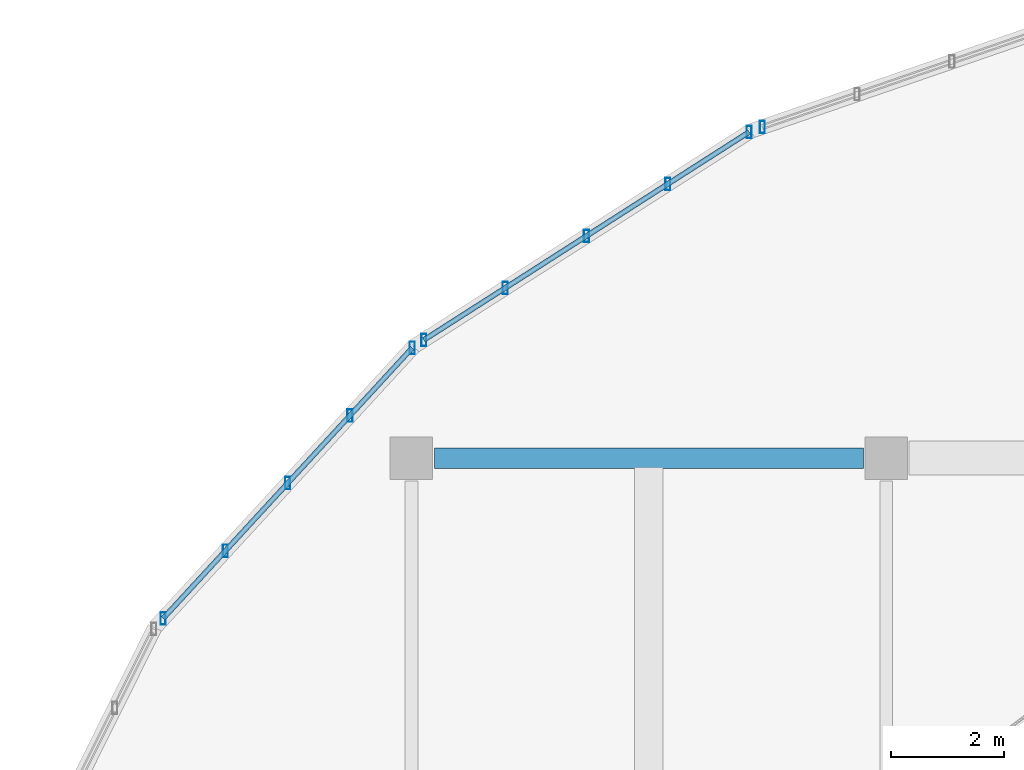
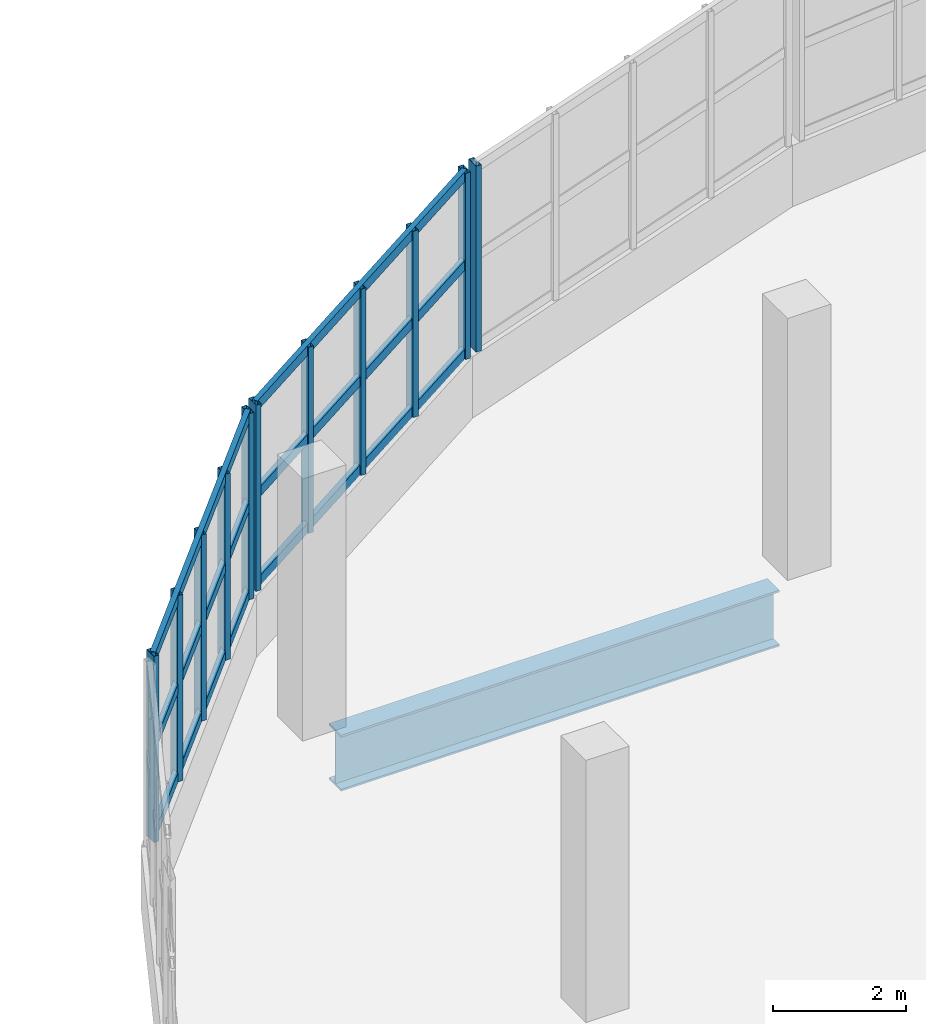
# One storey, part 18 of 117: 17 members, 1 beam, 3 elements without a shape of their own.
"""IFC4 building model written with IfcOpenShell, lengths in metres."""

import ifcopenshell
import ifcopenshell.guid

model = None  # the IFC model being written
_history = None  # IfcOwnerHistory: only IFC2X3 demands one
_inside = {}  # id of a spatial element -> (the spatial element, [elements in it])
_under = {}  # id of a project, library or spatial element -> (it, [spatial elements below it])
_declared = {}  # id of a project -> (the project, [libraries it declares])
_typed = {}  # id of a type object -> (the type object, [elements of that type])
_made_of = {}  # id of a material, layer set ... -> (it, [elements and type objects made of it])


def new_model(schema):
    """Start an empty IFC model of exactly this schema.

    Asked for "IFC4X3", IfcOpenShell would pick the latest addendum, in which some entities
    have other attributes; the version numbers below select the first issue.
    IFC2X3 requires an IfcOwnerHistory on every rooted entity: one is made here for all.
    """
    global model, _history
    if schema == "IFC4X3":
        model = ifcopenshell.file(schema_version=(4, 3, 0, 0))
    else:
        model = ifcopenshell.file(schema=schema)
    _inside.clear()
    _under.clear()
    _declared.clear()
    _typed.clear()
    _made_of.clear()
    _history = None
    if model.schema == "IFC2X3":
        org = make("IfcOrganization", Name="unknown")
        user = make(
            "IfcPersonAndOrganization",
            ThePerson=make("IfcPerson", FamilyName="unknown"),
            TheOrganization=org,
        )
        app = make(
            "IfcApplication",
            ApplicationDeveloper=org,
            Version="unknown",
            ApplicationFullName="unknown",
            ApplicationIdentifier="unknown",
        )
        _history = make(
            "IfcOwnerHistory",
            OwningUser=user,
            OwningApplication=app,
            ChangeAction="ADDED",
            CreationDate=0,
        )
    return model


def make(cls, **values):
    """One entity of the class cls with the attributes given. An attribute that is None is left unset."""
    return model.create_entity(
        cls, **{name: value for name, value in values.items() if value is not None}
    )


def rooted(cls, **values):
    """An entity with a GlobalId (a new one), such as an element, a storey or a relation."""
    return make(cls, GlobalId=ifcopenshell.guid.new(), OwnerHistory=_history, **values)


def si_unit(unit_type, name, prefix=None):
    """IfcSIUnit, for example si_unit("LENGTHUNIT", "METRE", prefix="MILLI")."""
    return make("IfcSIUnit", UnitType=unit_type, Prefix=prefix, Name=name)


def assignment(units):
    """IfcUnitAssignment: the units of a project."""
    return None if units is None else make("IfcUnitAssignment", Units=units)


def point(xyz):
    """IfcCartesianPoint."""
    return None if xyz is None else make("IfcCartesianPoint", Coordinates=xyz)


def direction(xyz):
    """IfcDirection."""
    return None if xyz is None else make("IfcDirection", DirectionRatios=xyz)


def frame(location, z_axis=None, x_axis=None):
    """IfcAxis2Placement3D, a coordinate frame: its origin and axes. An axis left out is left unset."""
    return make(
        "IfcAxis2Placement3D",
        Location=point(location),
        Axis=direction(z_axis),
        RefDirection=direction(x_axis),
    )


def frame_2d(location, x_axis=None):
    """IfcAxis2Placement2D, a coordinate frame in the plane: its origin and x axis."""
    return make(
        "IfcAxis2Placement2D", Location=point(location), RefDirection=direction(x_axis)
    )


def origin():
    """The frame at (0, 0, 0) with its axes left unset."""
    return frame((0.0, 0.0, 0.0))


def origin_2d():
    """The frame at (0, 0) in the plane with its x axis left unset."""
    return frame_2d((0.0, 0.0))


def place(relative_to, where):
    """IfcLocalPlacement: puts the frame where relative to a parent placement (None: the world)."""
    return make(
        "IfcLocalPlacement", PlacementRelTo=relative_to, RelativePlacement=where
    )


def context(
    kind, dimensions, precision=None, world=None, true_north=None, identifier=None
):
    """IfcGeometricRepresentationContext, for example the 3D "Model" context."""
    return make(
        "IfcGeometricRepresentationContext",
        ContextIdentifier=identifier,
        ContextType=kind,
        CoordinateSpaceDimension=dimensions,
        Precision=precision,
        WorldCoordinateSystem=world,
        TrueNorth=true_north,
    )


def subcontext(parent, identifier, kind, view, scale=None):
    """IfcGeometricRepresentationSubContext, for example "Body" below "Model"."""
    return make(
        "IfcGeometricRepresentationSubContext",
        ContextIdentifier=identifier,
        ContextType=kind,
        ParentContext=parent,
        TargetScale=scale,
        TargetView=view,
    )


def project(units=None, contexts=None):
    """IfcProject with its units and contexts."""
    return rooted(
        "IfcProject",
        Name="project",
        RepresentationContexts=contexts,
        UnitsInContext=assignment(units),
    )


def spatial(cls, under=None, at=None, **own):
    """A site, building, storey or space (cls), placed at a placement, below another one or the project."""
    s = rooted(cls, ObjectPlacement=at, **own)
    if under is not None:
        _under.setdefault(under.id(), (under, []))[1].append(s)
    return s


def profile(cls, at=None, kind="AREA", **sizes):
    """A parametric profile (cls). Its sizes go by their IFC names, for example OverallWidth=200.0."""
    return make(cls, ProfileType=kind, Position=at, **sizes)


def hollow_rectangle(**sizes):
    """IfcRectangleHollowProfileDef."""
    return profile("IfcRectangleHollowProfileDef", **sizes)


def i_section(**sizes):
    """IfcIShapeProfileDef."""
    return profile("IfcIShapeProfileDef", **sizes)


def extrude(swept, where, along, depth):
    """IfcExtrudedAreaSolid: the profile swept, set in the frame where, extruded along a direction by depth."""
    return make(
        "IfcExtrudedAreaSolid",
        SweptArea=swept,
        Position=where,
        ExtrudedDirection=direction(along),
        Depth=depth,
    )


def shape(context_of_items, identifier, shape_type, items):
    """IfcShapeRepresentation: the items that make up one representation, for example the "Body"."""
    return make(
        "IfcShapeRepresentation",
        ContextOfItems=context_of_items,
        RepresentationIdentifier=identifier,
        RepresentationType=shape_type,
        Items=items,
    )


def material(Name=None, Category=None):
    """IfcMaterial."""
    return make("IfcMaterial", Name=Name, Category=Category)


def material_profile(
    of_material, cross_section, Name=None, Category=None, Priority=None
):
    """IfcMaterialProfile: a cross section and its material."""
    return make(
        "IfcMaterialProfile",
        Name=Name,
        Material=of_material,
        Profile=cross_section,
        Priority=Priority,
        Category=Category,
    )


def profile_set(profiles, Name=None, composite=None):
    """IfcMaterialProfileSet."""
    return make(
        "IfcMaterialProfileSet",
        Name=Name,
        MaterialProfiles=profiles,
        CompositeProfile=composite,
    )


def made_of(thing, what):
    """Note that an element or type object is made of a material, layer set ...; save() writes the relation."""
    if what is not None:
        _made_of.setdefault(what.id(), (what, []))[1].append(thing)
    return thing


def type_object(cls, material=None, **own):
    """A type object (cls), such as IfcWallType, which elements share."""
    return made_of(rooted(cls, **own), material)


def element(
    cls,
    number,
    at=None,
    inside=None,
    cuts=None,
    type_object=None,
    material=None,
    context=None,
    identifier="Body",
    shape_type=None,
    held_by="IfcProductDefinitionShape",
    body=None,
    shapes=None,
    **own,
):
    """One element of the class cls, such as IfcWall. Its Tag is "e" and its number.

    at: its placement. inside: the storey or other place that contains it. cuts: it is an
    opening in that element (IfcRelVoidsElement). A single representation is given by context,
    identifier, shape_type and body (its items); several are given by shapes. held_by: the class
    of the entity that holds the representations. save() writes the other relations.
    """
    e = rooted(cls, Tag="e%d" % number, ObjectPlacement=at, **own)
    if body is not None:
        shapes = [shape(context, identifier, shape_type, body)]
    if shapes is not None:
        e.Representation = make(held_by, Representations=shapes)
    if inside is not None:
        _inside.setdefault(inside.id(), (inside, []))[1].append(e)
    if cuts is not None:
        rooted(
            "IfcRelVoidsElement", RelatingBuildingElement=cuts, RelatedOpeningElement=e
        )
    if type_object is not None:
        _typed.setdefault(type_object.id(), (type_object, []))[1].append(e)
    return made_of(e, material)


def aggregate(whole, parts):
    """IfcRelAggregates: a whole, such as a stair, and the parts it consists of."""
    return rooted("IfcRelAggregates", RelatingObject=whole, RelatedObjects=parts)


def save(model, path):
    """Write the relations noted so far, then the file.

    IfcRelAggregates (storeys below a building ...), IfcRelContainedInSpatialStructure (elements
    in a storey), IfcRelDefinesByType, IfcRelAssociatesMaterial and IfcRelDeclares: one each for
    every whole, place, type object, material and project.
    """
    for whole, parts in _under.values():
        aggregate(whole, parts)
    for where, things in _inside.values():
        rooted(
            "IfcRelContainedInSpatialStructure",
            RelatedElements=things,
            RelatingStructure=where,
        )
    for kind, things in _typed.values():
        rooted("IfcRelDefinesByType", RelatedObjects=things, RelatingType=kind)
    for what, things in _made_of.values():
        rooted("IfcRelAssociatesMaterial", RelatedObjects=things, RelatingMaterial=what)
    for by, libraries in _declared.values():
        rooted("IfcRelDeclares", RelatingContext=by, RelatedDefinitions=libraries)
    model.write(path)


model = new_model("IFC4")

# Units and contexts
model_context = context("Model", 3, precision=1e-05, world=origin(), true_north=direction((0.0, 1.0)))
body_context = subcontext(model_context, "Body", "Model", "MODEL_VIEW")
ifc_project = project(units=[si_unit("LENGTHUNIT", "METRE"), si_unit("AREAUNIT", "SQUARE_METRE"), si_unit("VOLUMEUNIT", "CUBIC_METRE"), si_unit("PLANEANGLEUNIT", "RADIAN"), si_unit("MASSUNIT", "GRAM", prefix="KILO")], contexts=[model_context])

# Site, building, storey
site_placement = place(None, origin())
site = spatial("IfcSite", under=ifc_project, at=site_placement, CompositionType="ELEMENT")
building_placement = place(site_placement, origin())
building = spatial("IfcBuilding", under=site, at=building_placement, Name="Solvento Point Concert Hall", CompositionType="ELEMENT")
storey_placement = place(building_placement, frame((0.0, 0.0, 5.39990234375)))
storey = spatial("IfcBuildingStorey", under=building, at=storey_placement, Name="L01", CompositionType="ELEMENT", Elevation=5.39990234375)

# Beam
ifc_material_1 = material(Name="Structural Steel ASTM A992 Grade 50", Category="steel")
ifc_material_profile_1 = material_profile(ifc_material_1, i_section(OverallWidth=0.361083984375, OverallDepth=1.02587890625, WebThickness=0.01904296875, FlangeThickness=0.0361328125, at=origin_2d()), Name="W40X249")
ifc_profile_set_1 = profile_set([ifc_material_profile_1], Name="Structural Steel ASTM A992 Grade 50")
beam_type = type_object("IfcBeamType", Name="Girder_W40X249", PredefinedType="USERDEFINED", material=ifc_profile_set_1)
beam_placement = place(storey_placement, frame((41.2041015625, 51.0, -0.796875), z_axis=(1.0, 0.0, 0.0), x_axis=(0.0, 1.0, 0.0)))
element("IfcBeam", 1, at=beam_placement, inside=storey, type_object=beam_type, Name="Primary girder B-29 L01", ObjectType="GIRDER", PredefinedType="USERDEFINED", context=body_context, shape_type="SweptSolid", body=[
    extrude(i_section(OverallWidth=0.361083984375, OverallDepth=1.02587890625, WebThickness=0.01904296875, FlangeThickness=0.0361328125, at=origin_2d()), origin(), (0.0, 0.0, 1.0), 7.591796875),
])

# Curtain wall, members
ifc_material_2 = material(Name="Anodized Bronze Aluminium", Category="aluminium")
curtain_wall_type = type_object("IfcCurtainWallType", Name="CurtainWall_RingRibbon_L01_02", PredefinedType="USERDEFINED", material=ifc_material_2)
curtain_wall_1_placement = place(storey_placement, origin())
curtain_wall_1 = element("IfcCurtainWall", 2, at=curtain_wall_1_placement, inside=storey, type_object=curtain_wall_type, Name="Unitised curtain wall CW-59 UCW-L01-100", ObjectType="UNITISED CURTAIN WALL", PredefinedType="USERDEFINED")
ifc_material_3 = material(Name="Anodized Bronze Aluminium", Category="aluminium")
ifc_material_profile_2 = material_profile(ifc_material_3, hollow_rectangle(XDim=0.090087890625, YDim=0.219970703125, WallThickness=0.00439453125, at=origin_2d()), Name="CW-MUL-90X220")
ifc_profile_set_2 = profile_set([ifc_material_profile_2], Name="Anodized Bronze Aluminium")
member_type_1 = type_object("IfcMemberType", Name="Mullion_90x220", PredefinedType="MULLION", material=ifc_profile_set_2)
member_1_placement = place(storey_placement, frame((36.407470703125, 48.161865234375, 1.1201171875), z_axis=(0.0, 0.0, 1.0), x_axis=(1.0, 0.0, 0.0)))
member_1 = element("IfcMember", 3, at=member_1_placement, type_object=member_type_1, Name="Curtain wall mullion ML-02", PredefinedType="MULLION", context=body_context, shape_type="SweptSolid", body=[
    extrude(hollow_rectangle(XDim=0.090087890625, YDim=0.219970703125, WallThickness=0.00439453125, at=origin_2d()), origin(), (0.0, 0.0, 1.0), 3.409912109375),
])
member_2_placement = place(storey_placement, frame((37.509521484375, 49.3583984375, 1.1201171875), z_axis=(0.0, 0.0, 1.0), x_axis=(1.0, 0.0, 0.0)))
member_2 = element("IfcMember", 4, at=member_2_placement, type_object=member_type_1, Name="Curtain wall mullion ML-02", PredefinedType="MULLION", context=body_context, shape_type="SweptSolid", body=[
    extrude(hollow_rectangle(XDim=0.090087890625, YDim=0.219970703125, WallThickness=0.00439453125, at=origin_2d()), origin(), (0.0, 0.0, 1.0), 3.409912109375),
])
member_3_placement = place(storey_placement, frame((38.611083984375, 50.55517578125, 1.1201171875), z_axis=(0.0, 0.0, 1.0), x_axis=(1.0, 0.0, 0.0)))
member_3 = element("IfcMember", 5, at=member_3_placement, type_object=member_type_1, Name="Curtain wall mullion ML-02", PredefinedType="MULLION", context=body_context, shape_type="SweptSolid", body=[
    extrude(hollow_rectangle(XDim=0.090087890625, YDim=0.219970703125, WallThickness=0.00439453125, at=origin_2d()), origin(), (0.0, 0.0, 1.0), 3.409912109375),
])
member_4_placement = place(storey_placement, frame((39.713134765625, 51.751953125, 1.1201171875), z_axis=(0.0, 0.0, 1.0), x_axis=(1.0, 0.0, 0.0)))
member_4 = element("IfcMember", 6, at=member_4_placement, type_object=member_type_1, Name="Curtain wall mullion ML-02", PredefinedType="MULLION", context=body_context, shape_type="SweptSolid", body=[
    extrude(hollow_rectangle(XDim=0.090087890625, YDim=0.219970703125, WallThickness=0.00439453125, at=origin_2d()), origin(), (0.0, 0.0, 1.0), 3.409912109375),
])
member_5_placement = place(storey_placement, frame((40.81494140625, 52.948486328125, 1.1201171875), z_axis=(0.0, 0.0, 1.0), x_axis=(1.0, 0.0, 0.0)))
member_5 = element("IfcMember", 7, at=member_5_placement, type_object=member_type_1, Name="Curtain wall mullion ML-02", PredefinedType="MULLION", context=body_context, shape_type="SweptSolid", body=[
    extrude(hollow_rectangle(XDim=0.090087890625, YDim=0.219970703125, WallThickness=0.00439453125, at=origin_2d()), origin(), (0.0, 0.0, 1.0), 3.409912109375),
])

curtain_wall_2_placement = place(storey_placement, origin())
curtain_wall_2 = element("IfcCurtainWall", 8, at=curtain_wall_2_placement, inside=storey, type_object=curtain_wall_type, Name="Unitised curtain wall CW-59 UCW-L01-101", ObjectType="UNITISED CURTAIN WALL", PredefinedType="USERDEFINED")
member_6_placement = place(storey_placement, frame((41.0205078125, 53.089111328125, 1.1201171875), z_axis=(0.0, 0.0, 1.0), x_axis=(1.0, 0.0, 0.0)))
member_6 = element("IfcMember", 9, at=member_6_placement, type_object=member_type_1, Name="Curtain wall mullion ML-02", PredefinedType="MULLION", context=body_context, shape_type="SweptSolid", body=[
    extrude(hollow_rectangle(XDim=0.090087890625, YDim=0.219970703125, WallThickness=0.00439453125, at=origin_2d()), origin(), (0.0, 0.0, 1.0), 3.409912109375),
])
member_7_placement = place(storey_placement, frame((42.459228515625, 54.0087890625, 1.1201171875), z_axis=(0.0, 0.0, 1.0), x_axis=(1.0, 0.0, 0.0)))
member_7 = element("IfcMember", 10, at=member_7_placement, type_object=member_type_1, Name="Curtain wall mullion ML-02", PredefinedType="MULLION", context=body_context, shape_type="SweptSolid", body=[
    extrude(hollow_rectangle(XDim=0.090087890625, YDim=0.219970703125, WallThickness=0.00439453125, at=origin_2d()), origin(), (0.0, 0.0, 1.0), 3.409912109375),
])
member_8_placement = place(storey_placement, frame((43.897705078125, 54.9287109375, 1.1201171875), z_axis=(0.0, 0.0, 1.0), x_axis=(1.0, 0.0, 0.0)))
member_8 = element("IfcMember", 11, at=member_8_placement, type_object=member_type_1, Name="Curtain wall mullion ML-02", PredefinedType="MULLION", context=body_context, shape_type="SweptSolid", body=[
    extrude(hollow_rectangle(XDim=0.090087890625, YDim=0.219970703125, WallThickness=0.00439453125, at=origin_2d()), origin(), (0.0, 0.0, 1.0), 3.409912109375),
])
member_9_placement = place(storey_placement, frame((45.336181640625, 55.8486328125, 1.1201171875), z_axis=(0.0, 0.0, 1.0), x_axis=(1.0, 0.0, 0.0)))
member_9 = element("IfcMember", 12, at=member_9_placement, type_object=member_type_1, Name="Curtain wall mullion ML-02", PredefinedType="MULLION", context=body_context, shape_type="SweptSolid", body=[
    extrude(hollow_rectangle(XDim=0.090087890625, YDim=0.219970703125, WallThickness=0.00439453125, at=origin_2d()), origin(), (0.0, 0.0, 1.0), 3.409912109375),
])
member_10_placement = place(storey_placement, frame((46.774658203125, 56.768310546875, 1.1201171875), z_axis=(0.0, 0.0, 1.0), x_axis=(1.0, 0.0, 0.0)))
member_10 = element("IfcMember", 13, at=member_10_placement, type_object=member_type_1, Name="Curtain wall mullion ML-02", PredefinedType="MULLION", context=body_context, shape_type="SweptSolid", body=[
    extrude(hollow_rectangle(XDim=0.090087890625, YDim=0.219970703125, WallThickness=0.00439453125, at=origin_2d()), origin(), (0.0, 0.0, 1.0), 3.409912109375),
])

# Curtain wall, member
curtain_wall_3_placement = place(storey_placement, origin())
curtain_wall_3 = element("IfcCurtainWall", 14, at=curtain_wall_3_placement, inside=storey, type_object=curtain_wall_type, Name="Unitised curtain wall CW-59 UCW-L01-102", ObjectType="UNITISED CURTAIN WALL", PredefinedType="USERDEFINED")
member_11_placement = place(storey_placement, frame((47.008056640625, 56.8564453125, 1.1201171875), z_axis=(0.0, 0.0, 1.0), x_axis=(1.0, 0.0, 0.0)))
member_11 = element("IfcMember", 15, at=member_11_placement, type_object=member_type_1, Name="Curtain wall mullion ML-02", PredefinedType="MULLION", context=body_context, shape_type="SweptSolid", body=[
    extrude(hollow_rectangle(XDim=0.090087890625, YDim=0.219970703125, WallThickness=0.00439453125, at=origin_2d()), origin(), (0.0, 0.0, 1.0), 3.409912109375),
])
aggregate(curtain_wall_3, [member_11])

# Member
ifc_material_4 = material(Name="Anodized Bronze Aluminium", Category="aluminium")
ifc_material_profile_3 = material_profile(ifc_material_4, hollow_rectangle(XDim=0.090087890625, YDim=0.179931640625, WallThickness=0.00439453125, at=origin_2d()), Name="CW-TRN-90X180")
ifc_profile_set_3 = profile_set([ifc_material_profile_3], Name="Anodized Bronze Aluminium")
member_type_2 = type_object("IfcMemberType", Name="Transom_90x180", PredefinedType="USERDEFINED", material=ifc_profile_set_3)
member_12_placement = place(storey_placement, frame((36.407470703125, 48.161865234375, 1.2001953125), z_axis=(0.677371042666, 0.735641536726, 0.0), x_axis=(-0.735641536726, 0.677371042666, 0.0)))
member_12 = element("IfcMember", 16, at=member_12_placement, type_object=member_type_2, Name="Curtain wall transom TR-02", ObjectType="TRANSOM", PredefinedType="USERDEFINED", context=body_context, shape_type="SweptSolid", body=[
    extrude(hollow_rectangle(XDim=0.090087890625, YDim=0.179931640625, WallThickness=0.00439453125, at=origin_2d()), origin(), (0.0, 0.0, 1.0), 6.5068359375),
])

member_13_placement = place(storey_placement, frame((36.407470703125, 48.161865234375, 2.8251953125), z_axis=(0.677371042666, 0.735641536726, 0.0), x_axis=(-0.735641536726, 0.677371042666, 0.0)))
member_13 = element("IfcMember", 17, at=member_13_placement, type_object=member_type_2, Name="Curtain wall transom TR-02", ObjectType="TRANSOM", PredefinedType="USERDEFINED", context=body_context, shape_type="SweptSolid", body=[
    extrude(hollow_rectangle(XDim=0.090087890625, YDim=0.179931640625, WallThickness=0.00439453125, at=origin_2d()), origin(), (0.0, 0.0, 1.0), 6.5068359375),
])

member_14_placement = place(storey_placement, frame((36.407470703125, 48.161865234375, 4.4501953125), z_axis=(0.677371042666, 0.735641536726, 0.0), x_axis=(-0.735641536726, 0.677371042666, 0.0)))
member_14 = element("IfcMember", 18, at=member_14_placement, type_object=member_type_2, Name="Curtain wall transom TR-02", ObjectType="TRANSOM", PredefinedType="USERDEFINED", context=body_context, shape_type="SweptSolid", body=[
    extrude(hollow_rectangle(XDim=0.090087890625, YDim=0.179931640625, WallThickness=0.00439453125, at=origin_2d()), origin(), (0.0, 0.0, 1.0), 6.5068359375),
])

aggregate(curtain_wall_1, [member_1, member_2, member_3, member_4, member_5, member_12, member_13, member_14])

member_15_placement = place(storey_placement, frame((41.0205078125, 53.089111328125, 1.2001953125), z_axis=(0.84250113822, 0.5386945629, 0.0), x_axis=(-0.5386945629, 0.84250113822, 0.0)))
member_15 = element("IfcMember", 19, at=member_15_placement, type_object=member_type_2, Name="Curtain wall transom TR-02", ObjectType="TRANSOM", PredefinedType="USERDEFINED", context=body_context, shape_type="SweptSolid", body=[
    extrude(hollow_rectangle(XDim=0.090087890625, YDim=0.179931640625, WallThickness=0.00439453125, at=origin_2d()), origin(), (0.0, 0.0, 1.0), 6.829833984375),
])

member_16_placement = place(storey_placement, frame((41.0205078125, 53.089111328125, 2.8251953125), z_axis=(0.84250113822, 0.5386945629, 0.0), x_axis=(-0.5386945629, 0.84250113822, 0.0)))
member_16 = element("IfcMember", 20, at=member_16_placement, type_object=member_type_2, Name="Curtain wall transom TR-02", ObjectType="TRANSOM", PredefinedType="USERDEFINED", context=body_context, shape_type="SweptSolid", body=[
    extrude(hollow_rectangle(XDim=0.090087890625, YDim=0.179931640625, WallThickness=0.00439453125, at=origin_2d()), origin(), (0.0, 0.0, 1.0), 6.829833984375),
])

member_17_placement = place(storey_placement, frame((41.0205078125, 53.089111328125, 4.4501953125), z_axis=(0.84250113822, 0.5386945629, 0.0), x_axis=(-0.5386945629, 0.84250113822, 0.0)))
member_17 = element("IfcMember", 21, at=member_17_placement, type_object=member_type_2, Name="Curtain wall transom TR-02", ObjectType="TRANSOM", PredefinedType="USERDEFINED", context=body_context, shape_type="SweptSolid", body=[
    extrude(hollow_rectangle(XDim=0.090087890625, YDim=0.179931640625, WallThickness=0.00439453125, at=origin_2d()), origin(), (0.0, 0.0, 1.0), 6.829833984375),
])

aggregate(curtain_wall_2, [member_6, member_7, member_8, member_9, member_10, member_15, member_16, member_17])

save(model, "model.ifc")
